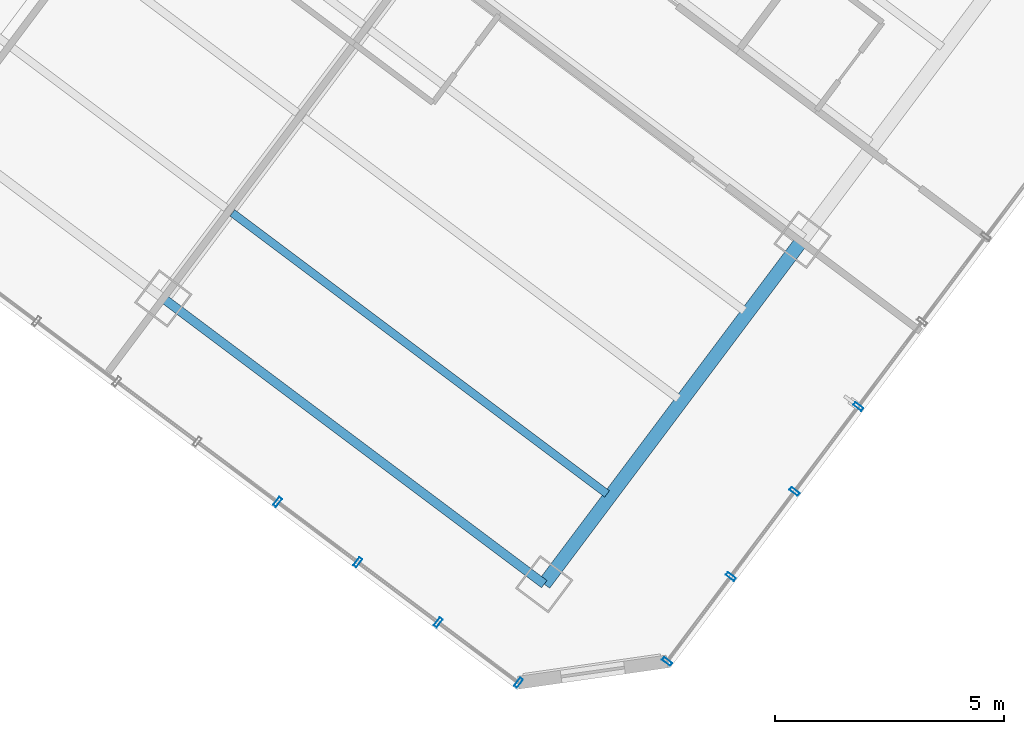
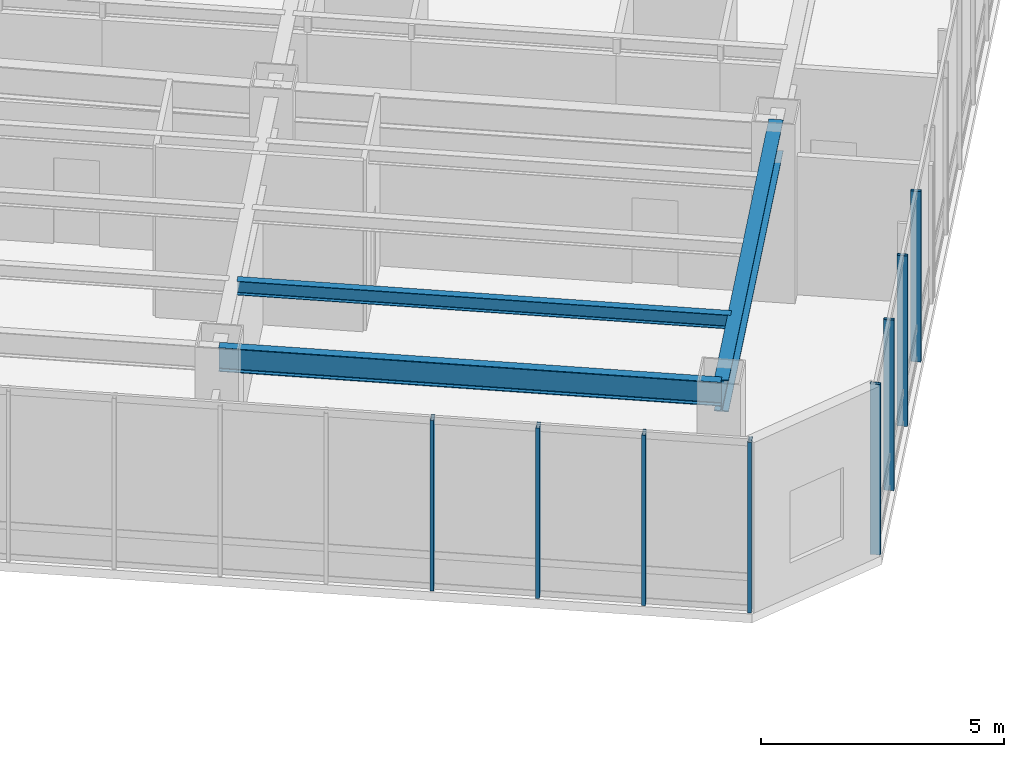
# One storey, part 8 of 27: 8 members, 3 beams, 2 elements without a shape of their own.
"""IFC4 building model written with IfcOpenShell, lengths in metres."""

from ifc_helpers import new_model, si_unit, direction, frame, origin, origin_2d, place, context, subcontext, project, spatial, hollow_rectangle, i_section, extrude, material, layer, layer_set, material_profile, profile_set, type_object, element, aggregate, save


model = new_model("IFC4")

# Units and contexts
model_context = context("Model", 3, precision=1e-05, world=origin(), true_north=direction((0.0, 1.0)))
body_context = subcontext(model_context, "Body", "Model", "MODEL_VIEW")
ifc_project = project(units=[si_unit("LENGTHUNIT", "METRE"), si_unit("AREAUNIT", "SQUARE_METRE"), si_unit("VOLUMEUNIT", "CUBIC_METRE"), si_unit("PLANEANGLEUNIT", "RADIAN"), si_unit("MASSUNIT", "GRAM", prefix="KILO")], contexts=[model_context])

# Site, building, storey
site_placement = place(None, origin())
site = spatial("IfcSite", under=ifc_project, at=site_placement, CompositionType="ELEMENT")
building_placement = place(site_placement, origin())
building = spatial("IfcBuilding", under=site, at=building_placement, Name="Hatsunagi Terrace Concourse", CompositionType="ELEMENT")
storey_placement = place(building_placement, frame((0.0, 0.0, 70.10009765625)))
storey = spatial("IfcBuildingStorey", under=building, at=storey_placement, Name="L18", CompositionType="ELEMENT", Elevation=70.10009765625)

# Curtain wall, members
ifc_material_1 = material(Name="Anodised Aluminium Alloy 6063-T5", Category="aluminium")
ifc_layer = layer(ifc_material_1, 0.199951171875)
ifc_layer_set = layer_set([ifc_layer], Name="SkyLobbyAtrium_CW05")
curtain_wall_type = type_object("IfcCurtainWallType", Name="SkyLobbyAtrium_CW05", PredefinedType="NOTDEFINED", material=ifc_layer_set)
curtain_wall_1_placement = place(storey_placement, origin())
curtain_wall_1 = element("IfcCurtainWall", 1, at=curtain_wall_1_placement, inside=storey, type_object=curtain_wall_type, Name="Unitised Curtain Wall CW-05 CW-L18-03", PredefinedType="NOTDEFINED")
ifc_material_2 = material(Name="Anodised Aluminium Alloy 6063-T5", Category="aluminium")
ifc_material_profile_1 = material_profile(ifc_material_2, hollow_rectangle(XDim=0.080078125, YDim=0.219970703125, WallThickness=0.0048828125, at=origin_2d()), Name="ALU-MUL-220x80x5")
ifc_profile_set_1 = profile_set([ifc_material_profile_1], Name="Anodised Aluminium Alloy 6063-T5")
member_type = type_object("IfcMemberType", Name="CurtainWallMullion_Heavy_220x80", PredefinedType="MULLION", material=ifc_profile_set_1)
member_1_placement = place(storey_placement, frame((60.739990234375, 8.51904296875, 0.0), z_axis=(0.0, 0.0, 1.0), x_axis=(-0.599969314634, -0.800023013105, 0.0)))
member_1 = element("IfcMember", 2, at=member_1_placement, type_object=member_type, Name="Curtain Wall Mullion MUL-01", PredefinedType="MULLION", context=body_context, shape_type="SweptSolid", body=[
    extrude(hollow_rectangle(XDim=0.080078125, YDim=0.219970703125, WallThickness=0.0048828125, at=origin_2d()), origin(), (0.0, 0.0, 1.0), 4.27978515625),
])
member_2_placement = place(storey_placement, frame((59.346923828125, 6.6630859375, 0.0), z_axis=(0.0, 0.0, 1.0), x_axis=(-0.599969314634, -0.800023013105, 0.0)))
member_2 = element("IfcMember", 3, at=member_2_placement, type_object=member_type, Name="Curtain Wall Mullion MUL-01", PredefinedType="MULLION", context=body_context, shape_type="SweptSolid", body=[
    extrude(hollow_rectangle(XDim=0.080078125, YDim=0.219970703125, WallThickness=0.0048828125, at=origin_2d()), origin(), (0.0, 0.0, 1.0), 4.27978515625),
])
member_3_placement = place(storey_placement, frame((57.955078125, 4.805908203125, 0.0), z_axis=(0.0, 0.0, 1.0), x_axis=(-0.599969314634, -0.800023013105, 0.0)))
member_3 = element("IfcMember", 4, at=member_3_placement, type_object=member_type, Name="Curtain Wall Mullion MUL-01", PredefinedType="MULLION", context=body_context, shape_type="SweptSolid", body=[
    extrude(hollow_rectangle(XDim=0.080078125, YDim=0.219970703125, WallThickness=0.0048828125, at=origin_2d()), origin(), (0.0, 0.0, 1.0), 4.27978515625),
])
member_4_placement = place(storey_placement, frame((56.56298828125, 2.949951171875, 0.0), z_axis=(0.0, 0.0, 1.0), x_axis=(-0.599969314634, -0.800023013105, 0.0)))
member_4 = element("IfcMember", 5, at=member_4_placement, type_object=member_type, Name="Curtain Wall Mullion MUL-01", PredefinedType="MULLION", context=body_context, shape_type="SweptSolid", body=[
    extrude(hollow_rectangle(XDim=0.080078125, YDim=0.219970703125, WallThickness=0.0048828125, at=origin_2d()), origin(), (0.0, 0.0, 1.0), 4.27978515625),
])
aggregate(curtain_wall_1, [member_1, member_2, member_3, member_4])

curtain_wall_2_placement = place(storey_placement, origin())
curtain_wall_2 = element("IfcCurtainWall", 6, at=curtain_wall_2_placement, inside=storey, type_object=curtain_wall_type, Name="Unitised Curtain Wall CW-05 CW-L18-05", PredefinedType="NOTDEFINED")
member_5_placement = place(storey_placement, frame((53.318115234375, 2.487060546875, 0.0), z_axis=(0.0, 0.0, 1.0), x_axis=(-0.800003116929, 0.599995844072, 0.0)))
member_5 = element("IfcMember", 7, at=member_5_placement, type_object=member_type, Name="Curtain Wall Mullion MUL-01", PredefinedType="MULLION", context=body_context, shape_type="SweptSolid", body=[
    extrude(hollow_rectangle(XDim=0.080078125, YDim=0.219970703125, WallThickness=0.0048828125, at=origin_2d()), origin(), (0.0, 0.0, 1.0), 4.27978515625),
])
member_6_placement = place(storey_placement, frame((51.56396484375, 3.802978515625, 0.0), z_axis=(0.0, 0.0, 1.0), x_axis=(-0.800003116929, 0.599995844072, 0.0)))
member_6 = element("IfcMember", 8, at=member_6_placement, type_object=member_type, Name="Curtain Wall Mullion MUL-01", PredefinedType="MULLION", context=body_context, shape_type="SweptSolid", body=[
    extrude(hollow_rectangle(XDim=0.080078125, YDim=0.219970703125, WallThickness=0.0048828125, at=origin_2d()), origin(), (0.0, 0.0, 1.0), 4.27978515625),
])
member_7_placement = place(storey_placement, frame((49.80908203125, 5.118896484375, 0.0), z_axis=(0.0, 0.0, 1.0), x_axis=(-0.800003116929, 0.599995844072, 0.0)))
member_7 = element("IfcMember", 9, at=member_7_placement, type_object=member_type, Name="Curtain Wall Mullion MUL-01", PredefinedType="MULLION", context=body_context, shape_type="SweptSolid", body=[
    extrude(hollow_rectangle(XDim=0.080078125, YDim=0.219970703125, WallThickness=0.0048828125, at=origin_2d()), origin(), (0.0, 0.0, 1.0), 4.27978515625),
])
member_8_placement = place(storey_placement, frame((48.054931640625, 6.43408203125, 0.0), z_axis=(0.0, 0.0, 1.0), x_axis=(-0.800003116929, 0.599995844072, 0.0)))
member_8 = element("IfcMember", 10, at=member_8_placement, type_object=member_type, Name="Curtain Wall Mullion MUL-01", PredefinedType="MULLION", context=body_context, shape_type="SweptSolid", body=[
    extrude(hollow_rectangle(XDim=0.080078125, YDim=0.219970703125, WallThickness=0.0048828125, at=origin_2d()), origin(), (0.0, 0.0, 1.0), 4.27978515625),
])
aggregate(curtain_wall_2, [member_5, member_6, member_7, member_8])

# Beams
ifc_material_3 = material(Name="Steel SN490B", Category="steel")
ifc_material_profile_2 = material_profile(ifc_material_3, i_section(OverallWidth=0.175048828125, OverallDepth=0.35009765625, WebThickness=0.007080078125, FlangeThickness=0.010986328125, FilletRadius=0.012939453125, at=origin_2d()), Name="H-350x175x7x11")
ifc_profile_set_2 = profile_set([ifc_material_profile_2], Name="Steel SN490B")
beam_type_1 = type_object("IfcBeamType", Name="HotelJoist_H_350x175", PredefinedType="JOIST", material=ifc_profile_set_2)
beam_1_placement = place(storey_placement, frame((47.068115234375, 12.7490234375, 4.10498046875), z_axis=(0.799997136125, -0.600003818481, 0.0), x_axis=(0.600003818481, 0.799997136125, 0.0)))
element("IfcBeam", 11, at=beam_1_placement, inside=storey, type_object=beam_type_1, Name="Beam J-02 J-L18-SE-3-46", PredefinedType="JOIST", context=body_context, shape_type="SweptSolid", body=[
    extrude(i_section(OverallWidth=0.175048828125, OverallDepth=0.35009765625, WebThickness=0.007080078125, FlangeThickness=0.010986328125, FilletRadius=0.012939453125, at=origin_2d()), origin(), (0.0, 0.0, 1.0), 10.229736328125),
])
ifc_material_4 = material(Name="Steel SN490B", Category="steel")
ifc_material_profile_3 = material_profile(ifc_material_4, i_section(OverallWidth=0.199951171875, OverallDepth=0.60009765625, WebThickness=0.010986328125, FlangeThickness=0.01708984375, FilletRadius=0.01806640625, at=origin_2d()), Name="H-600x200x11x17")
ifc_profile_set_3 = profile_set([ifc_material_profile_3], Name="Steel SN490B")
beam_type_2 = type_object("IfcBeamType", Name="PerimeterSpandrel_H_600x200", PredefinedType="SPANDREL", material=ifc_profile_set_3)
beam_2_placement = place(storey_placement, frame((45.56005859375, 10.8798828125, 3.97998046875), z_axis=(0.799994365871, -0.600007512099, 0.0), x_axis=(0.600007512099, 0.799994365871, 0.0)))
element("IfcBeam", 12, at=beam_2_placement, inside=storey, type_object=beam_type_2, Name="Beam SP-01 BM-L18-SE-SW3", PredefinedType="SPANDREL", context=body_context, shape_type="SweptSolid", body=[
    extrude(i_section(OverallWidth=0.199951171875, OverallDepth=0.60009765625, WebThickness=0.010986328125, FlangeThickness=0.01708984375, FilletRadius=0.01806640625, at=origin_2d()), origin(), (0.0, 0.0, 1.0), 10.39990234375),
])
ifc_material_5 = material(Name="Steel SN490B", Category="steel")
ifc_material_profile_4 = material_profile(ifc_material_5, i_section(OverallWidth=0.300048828125, OverallDepth=0.800048828125, WebThickness=0.013916015625, FlangeThickness=0.02587890625, FilletRadius=0.02197265625, at=origin_2d()), Name="H-800x300x14x26")
ifc_profile_set_4 = profile_set([ifc_material_profile_4], Name="Steel SN490B")
beam_type_3 = type_object("IfcBeamType", Name="SkyLobbyGirder_H_800x300", PredefinedType="BEAM", material=ifc_profile_set_4)
beam_3_placement = place(storey_placement, frame((53.8798828125, 4.639892578125, 3.8798828125), z_axis=(0.600008311051, 0.799993766644, 0.0), x_axis=(-0.799993766644, 0.600008311051, 0.0)))
element("IfcBeam", 13, at=beam_3_placement, inside=storey, type_object=beam_type_3, Name="Beam G-03 BM-L18-SET-3A", PredefinedType="BEAM", context=body_context, shape_type="SweptSolid", body=[
    extrude(i_section(OverallWidth=0.300048828125, OverallDepth=0.800048828125, WebThickness=0.013916015625, FlangeThickness=0.02587890625, FilletRadius=0.02197265625, at=origin_2d()), origin(), (0.0, 0.0, 1.0), 9.400146484375),
])

save(model, "model.ifc")
